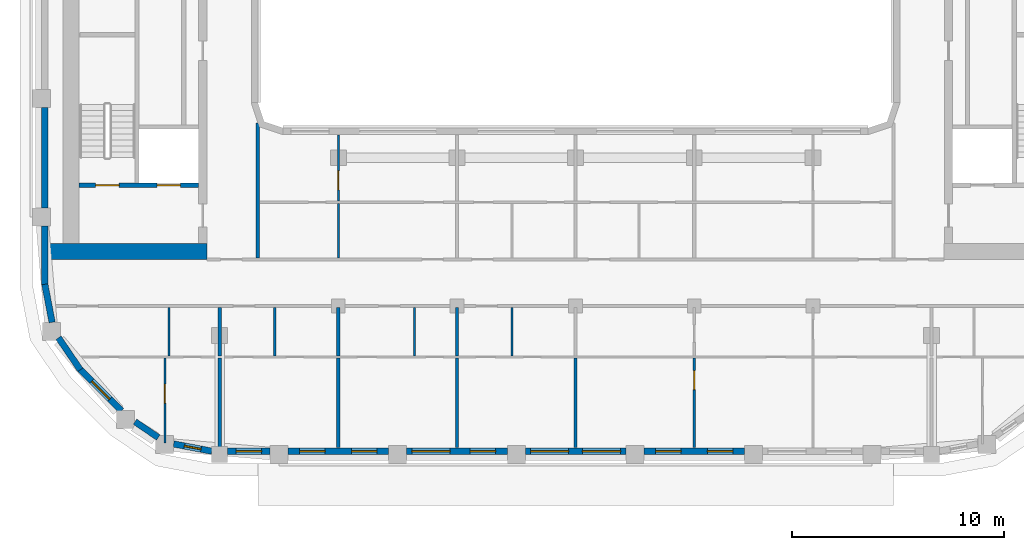
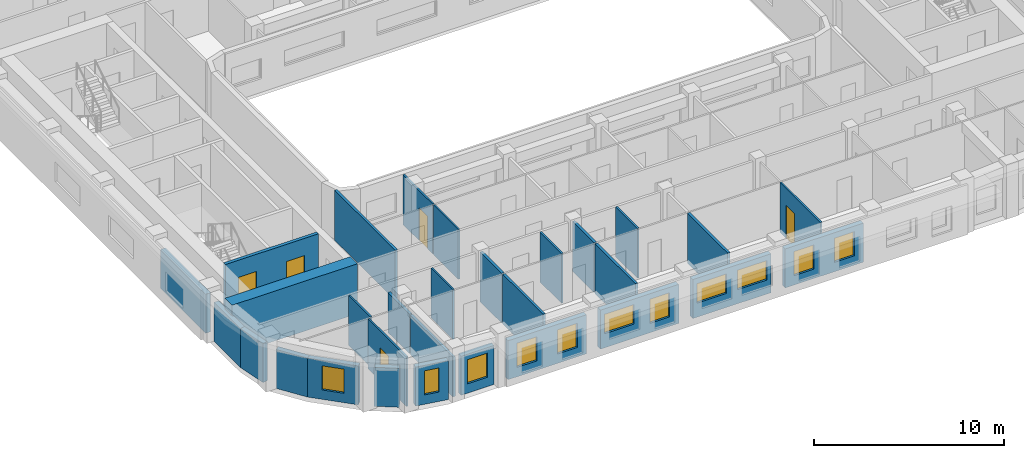
# One storey, part 2 of 21: 30 walls, 11 windows, 5 doors, 16 openings.
"""IFC4 building model written with IfcOpenShell, lengths in metres."""

import ifcopenshell
import ifcopenshell.guid

model = None  # the IFC model being written
_history = None  # IfcOwnerHistory: only IFC2X3 demands one
_inside = {}  # id of a spatial element -> (the spatial element, [elements in it])
_under = {}  # id of a project, library or spatial element -> (it, [spatial elements below it])
_declared = {}  # id of a project -> (the project, [libraries it declares])
_typed = {}  # id of a type object -> (the type object, [elements of that type])
_made_of = {}  # id of a material, layer set ... -> (it, [elements and type objects made of it])


def new_model(schema):
    """Start an empty IFC model of exactly this schema.

    Asked for "IFC4X3", IfcOpenShell would pick the latest addendum, in which some entities
    have other attributes; the version numbers below select the first issue.
    IFC2X3 requires an IfcOwnerHistory on every rooted entity: one is made here for all.
    """
    global model, _history
    if schema == "IFC4X3":
        model = ifcopenshell.file(schema_version=(4, 3, 0, 0))
    else:
        model = ifcopenshell.file(schema=schema)
    _inside.clear()
    _under.clear()
    _declared.clear()
    _typed.clear()
    _made_of.clear()
    _history = None
    if model.schema == "IFC2X3":
        org = make("IfcOrganization", Name="unknown")
        user = make(
            "IfcPersonAndOrganization",
            ThePerson=make("IfcPerson", FamilyName="unknown"),
            TheOrganization=org,
        )
        app = make(
            "IfcApplication",
            ApplicationDeveloper=org,
            Version="unknown",
            ApplicationFullName="unknown",
            ApplicationIdentifier="unknown",
        )
        _history = make(
            "IfcOwnerHistory",
            OwningUser=user,
            OwningApplication=app,
            ChangeAction="ADDED",
            CreationDate=0,
        )
    return model


def make(cls, **values):
    """One entity of the class cls with the attributes given. An attribute that is None is left unset."""
    return model.create_entity(
        cls, **{name: value for name, value in values.items() if value is not None}
    )


def rooted(cls, **values):
    """An entity with a GlobalId (a new one), such as an element, a storey or a relation."""
    return make(cls, GlobalId=ifcopenshell.guid.new(), OwnerHistory=_history, **values)


def si_unit(unit_type, name, prefix=None):
    """IfcSIUnit, for example si_unit("LENGTHUNIT", "METRE", prefix="MILLI")."""
    return make("IfcSIUnit", UnitType=unit_type, Prefix=prefix, Name=name)


def assignment(units):
    """IfcUnitAssignment: the units of a project."""
    return None if units is None else make("IfcUnitAssignment", Units=units)


def point(xyz):
    """IfcCartesianPoint."""
    return None if xyz is None else make("IfcCartesianPoint", Coordinates=xyz)


def direction(xyz):
    """IfcDirection."""
    return None if xyz is None else make("IfcDirection", DirectionRatios=xyz)


def frame(location, z_axis=None, x_axis=None):
    """IfcAxis2Placement3D, a coordinate frame: its origin and axes. An axis left out is left unset."""
    return make(
        "IfcAxis2Placement3D",
        Location=point(location),
        Axis=direction(z_axis),
        RefDirection=direction(x_axis),
    )


def frame_2d(location, x_axis=None):
    """IfcAxis2Placement2D, a coordinate frame in the plane: its origin and x axis."""
    return make(
        "IfcAxis2Placement2D", Location=point(location), RefDirection=direction(x_axis)
    )


def origin():
    """The frame at (0, 0, 0) with its axes left unset."""
    return frame((0.0, 0.0, 0.0))


def place(relative_to, where):
    """IfcLocalPlacement: puts the frame where relative to a parent placement (None: the world)."""
    return make(
        "IfcLocalPlacement", PlacementRelTo=relative_to, RelativePlacement=where
    )


def context(
    kind, dimensions, precision=None, world=None, true_north=None, identifier=None
):
    """IfcGeometricRepresentationContext, for example the 3D "Model" context."""
    return make(
        "IfcGeometricRepresentationContext",
        ContextIdentifier=identifier,
        ContextType=kind,
        CoordinateSpaceDimension=dimensions,
        Precision=precision,
        WorldCoordinateSystem=world,
        TrueNorth=true_north,
    )


def subcontext(parent, identifier, kind, view, scale=None):
    """IfcGeometricRepresentationSubContext, for example "Body" below "Model"."""
    return make(
        "IfcGeometricRepresentationSubContext",
        ContextIdentifier=identifier,
        ContextType=kind,
        ParentContext=parent,
        TargetScale=scale,
        TargetView=view,
    )


def project(units=None, contexts=None):
    """IfcProject with its units and contexts."""
    return rooted(
        "IfcProject",
        Name="project",
        RepresentationContexts=contexts,
        UnitsInContext=assignment(units),
    )


def spatial(cls, under=None, at=None, **own):
    """A site, building, storey or space (cls), placed at a placement, below another one or the project."""
    s = rooted(cls, ObjectPlacement=at, **own)
    if under is not None:
        _under.setdefault(under.id(), (under, []))[1].append(s)
    return s


def profile(cls, at=None, kind="AREA", **sizes):
    """A parametric profile (cls). Its sizes go by their IFC names, for example OverallWidth=200.0."""
    return make(cls, ProfileType=kind, Position=at, **sizes)


def rectangle(**sizes):
    """IfcRectangleProfileDef."""
    return profile("IfcRectangleProfileDef", **sizes)


def extrude(swept, where, along, depth):
    """IfcExtrudedAreaSolid: the profile swept, set in the frame where, extruded along a direction by depth."""
    return make(
        "IfcExtrudedAreaSolid",
        SweptArea=swept,
        Position=where,
        ExtrudedDirection=direction(along),
        Depth=depth,
    )


def shape(context_of_items, identifier, shape_type, items):
    """IfcShapeRepresentation: the items that make up one representation, for example the "Body"."""
    return make(
        "IfcShapeRepresentation",
        ContextOfItems=context_of_items,
        RepresentationIdentifier=identifier,
        RepresentationType=shape_type,
        Items=items,
    )


def material(Name=None, Category=None):
    """IfcMaterial."""
    return make("IfcMaterial", Name=Name, Category=Category)


def layer(
    of_material, thickness, ventilated=None, Name=None, Category=None, Priority=None
):
    """IfcMaterialLayer: one layer of a wall or slab, of a material (None: an air gap)."""
    return make(
        "IfcMaterialLayer",
        Material=of_material,
        LayerThickness=thickness,
        IsVentilated=ventilated,
        Name=Name,
        Category=Category,
        Priority=Priority,
    )


def layer_set(layers, Name=None):
    """IfcMaterialLayerSet."""
    return make("IfcMaterialLayerSet", MaterialLayers=layers, LayerSetName=Name)


def made_of(thing, what):
    """Note that an element or type object is made of a material, layer set ...; save() writes the relation."""
    if what is not None:
        _made_of.setdefault(what.id(), (what, []))[1].append(thing)
    return thing


def type_object(cls, material=None, **own):
    """A type object (cls), such as IfcWallType, which elements share."""
    return made_of(rooted(cls, **own), material)


def element(
    cls,
    number,
    at=None,
    inside=None,
    cuts=None,
    type_object=None,
    material=None,
    context=None,
    identifier="Body",
    shape_type=None,
    held_by="IfcProductDefinitionShape",
    body=None,
    shapes=None,
    **own,
):
    """One element of the class cls, such as IfcWall. Its Tag is "e" and its number.

    at: its placement. inside: the storey or other place that contains it. cuts: it is an
    opening in that element (IfcRelVoidsElement). A single representation is given by context,
    identifier, shape_type and body (its items); several are given by shapes. held_by: the class
    of the entity that holds the representations. save() writes the other relations.
    """
    e = rooted(cls, Tag="e%d" % number, ObjectPlacement=at, **own)
    if body is not None:
        shapes = [shape(context, identifier, shape_type, body)]
    if shapes is not None:
        e.Representation = make(held_by, Representations=shapes)
    if inside is not None:
        _inside.setdefault(inside.id(), (inside, []))[1].append(e)
    if cuts is not None:
        rooted(
            "IfcRelVoidsElement", RelatingBuildingElement=cuts, RelatedOpeningElement=e
        )
    if type_object is not None:
        _typed.setdefault(type_object.id(), (type_object, []))[1].append(e)
    return made_of(e, material)


def fill(opening, filler):
    """IfcRelFillsElement: the door or window that sits in an opening."""
    return rooted(
        "IfcRelFillsElement",
        RelatingOpeningElement=opening,
        RelatedBuildingElement=filler,
    )


def aggregate(whole, parts):
    """IfcRelAggregates: a whole, such as a stair, and the parts it consists of."""
    return rooted("IfcRelAggregates", RelatingObject=whole, RelatedObjects=parts)


def save(model, path):
    """Write the relations noted so far, then the file.

    IfcRelAggregates (storeys below a building ...), IfcRelContainedInSpatialStructure (elements
    in a storey), IfcRelDefinesByType, IfcRelAssociatesMaterial and IfcRelDeclares: one each for
    every whole, place, type object, material and project.
    """
    for whole, parts in _under.values():
        aggregate(whole, parts)
    for where, things in _inside.values():
        rooted(
            "IfcRelContainedInSpatialStructure",
            RelatedElements=things,
            RelatingStructure=where,
        )
    for kind, things in _typed.values():
        rooted("IfcRelDefinesByType", RelatedObjects=things, RelatingType=kind)
    for what, things in _made_of.values():
        rooted("IfcRelAssociatesMaterial", RelatedObjects=things, RelatingMaterial=what)
    for by, libraries in _declared.values():
        rooted("IfcRelDeclares", RelatingContext=by, RelatedDefinitions=libraries)
    model.write(path)


model = new_model("IFC4")

# Units and contexts
model_context = context("Model", 3, precision=1e-05, world=origin(), true_north=direction((0.0, 1.0)))
body_context = subcontext(model_context, "Body", "Model", "MODEL_VIEW")
ifc_project = project(units=[si_unit("LENGTHUNIT", "METRE"), si_unit("AREAUNIT", "SQUARE_METRE"), si_unit("VOLUMEUNIT", "CUBIC_METRE"), si_unit("PLANEANGLEUNIT", "RADIAN"), si_unit("MASSUNIT", "GRAM", prefix="KILO")], contexts=[model_context])

# Site, building, storey
site_placement = place(None, origin())
site = spatial("IfcSite", under=ifc_project, at=site_placement, CompositionType="ELEMENT")
building_placement = place(site_placement, origin())
building = spatial("IfcBuilding", under=site, at=building_placement, Name="Kiln Ring Residences", CompositionType="ELEMENT")
storey_placement = place(building_placement, frame((0.0, 0.0, 223.89990234375)))
storey = spatial("IfcBuildingStorey", under=building, at=storey_placement, Name="L58", CompositionType="ELEMENT", Elevation=223.89990234375)

# Wall, openings, doors
ifc_material_1 = material(Name="Concrete C40/50", Category="concrete")
ifc_layer_1 = layer(ifc_material_1, 0.199951171875)
ifc_layer_set_1 = layer_set([ifc_layer_1], Name="CORE-WALL-RC200")
wall_type_1 = type_object("IfcWallType", Name="CORE-WALL-RC200", PredefinedType="SHEAR", material=ifc_layer_set_1)
wall_1_placement = place(storey_placement, frame((-17.800048828125, -9.699951171875, 0.0), z_axis=(0.0, 0.0, 1.0), x_axis=(-1.0, 0.0, 0.0)))
wall_1 = element("IfcWall", 1, at=wall_1_placement, inside=storey, type_object=wall_type_1, Name="Core wall west L58 8", PredefinedType="SHEAR", context=body_context, shape_type="SweptSolid", body=[
    extrude(rectangle(XDim=5.64990234375, YDim=0.199951171875, at=frame_2d((2.824951171875, 0.0))), origin(), (0.0, 0.0, 1.0), 3.2001953125),
])
opening_1_placement = place(wall_1_placement, frame((0.85009765625, 0.0, 0.0)))
opening_1 = element("IfcOpeningElement", 2, at=opening_1_placement, cuts=wall_1, Name="Opening L58-CW01", PredefinedType="OPENING", context=body_context, shape_type="SweptSolid", body=[
    extrude(rectangle(XDim=1.10009765625, YDim=2.10009765625, at=frame_2d((0.550048828125, 1.050048828125))), frame((0.0, 0.10986328125, 0.0), z_axis=(0.0, -1.0, 0.0), x_axis=(1.0, 0.0, 0.0)), (0.0, 0.0, 1.0), 0.219970703125),
])
opening_2_placement = place(wall_1_placement, frame((3.75, 0.0, 0.0)))
opening_2 = element("IfcOpeningElement", 3, at=opening_2_placement, cuts=wall_1, Name="Opening L58-CW10", PredefinedType="OPENING", context=body_context, shape_type="SweptSolid", body=[
    extrude(rectangle(XDim=1.10009765625, YDim=2.10009765625, at=frame_2d((0.550048828125, 1.050048828125))), frame((0.0, 0.10986328125, 0.0), z_axis=(0.0, -1.0, 0.0), x_axis=(1.0, 0.0, 0.0)), (0.0, 0.0, 1.0), 0.219970703125),
])
ifc_material_2 = material(Name="Steel door leaf", Category="steel")
door_type_1 = type_object("IfcDoorType", Name="CORE-DOOR-LD", OperationType="DOUBLE_DOOR_SLIDING", PredefinedType="DOOR", material=ifc_material_2)
door_1_placement = place(opening_1_placement, origin())
door_1 = element("IfcDoor", 4, at=door_1_placement, inside=storey, type_object=door_type_1, Name="LD W-SV L58-CW01", OperationType="DOUBLE_DOOR_SLIDING", OverallHeight=2.10009765625, OverallWidth=1.10009765625, PredefinedType="DOOR", context=body_context, shape_type="SweptSolid", body=[
    extrude(rectangle(XDim=1.10009765625, YDim=2.10009765625, at=frame_2d((0.550048828125, 1.050048828125))), frame((0.0, 0.02490234375, 0.0), z_axis=(0.0, -1.0, 0.0), x_axis=(1.0, 0.0, 0.0)), (0.0, 0.0, 1.0), 0.050048828125),
])
fill(opening_1, door_1)
ifc_material_3 = material(Name="Steel door leaf", Category="steel")
door_type_2 = type_object("IfcDoorType", Name="CORE-DOOR-STAIR", OperationType="SINGLE_SWING_LEFT", PredefinedType="DOOR", material=ifc_material_3)
door_2_placement = place(opening_2_placement, origin())
door_2 = element("IfcDoor", 5, at=door_2_placement, inside=storey, type_object=door_type_2, Name="Stair W-STS L58-CW10", OperationType="SINGLE_SWING_LEFT", OverallHeight=2.10009765625, OverallWidth=1.10009765625, PredefinedType="DOOR", context=body_context, shape_type="SweptSolid", body=[
    extrude(rectangle(XDim=1.10009765625, YDim=2.10009765625, at=frame_2d((0.550048828125, 1.050048828125))), frame((0.0, 0.02490234375, 0.0), z_axis=(0.0, -1.0, 0.0), x_axis=(1.0, 0.0, 0.0)), (0.0, 0.0, 1.0), 0.050048828125),
])
fill(opening_2, door_2)

# Wall
ifc_material_4 = material(Name="Concrete C60/75", Category="concrete")
ifc_layer_2 = layer(ifc_material_4, 0.75)
ifc_layer_set_2 = layer_set([ifc_layer_2], Name="CORE-WALL-RC750")
wall_type_2 = type_object("IfcWallType", Name="CORE-WALL-RC750", PredefinedType="SHEAR", material=ifc_layer_set_2)
wall_2_placement = place(storey_placement, frame((-17.39990234375, -12.824951171875, 0.0), z_axis=(0.0, 0.0, 1.0), x_axis=(-1.0, 0.0, 0.0)))
element("IfcWall", 6, at=wall_2_placement, inside=storey, type_object=wall_type_2, Name="Core wall west L58 5", PredefinedType="SHEAR", context=body_context, shape_type="SweptSolid", body=[
    extrude(rectangle(XDim=7.60009765625, YDim=0.75, at=frame_2d((3.800048828125, 0.0))), origin(), (0.0, 0.0, 1.0), 3.2001953125),
])

# Wall, opening, window
ifc_material_5 = material(Name="Brick masonry, dark clay brick", Category="masonry")
ifc_layer_3 = layer(ifc_material_5, 0.300048828125)
ifc_layer_set_3 = layer_set([ifc_layer_3], Name="EW-300 BRICK WALL")
wall_type_3 = type_object("IfcWallType", Name="EW-300 BRICK WALL", PredefinedType="SOLIDWALL", material=ifc_layer_set_3)
wall_3_placement = place(storey_placement, frame((-23.39697265625, -18.390869140625, 0.0), z_axis=(0.0, 0.0, 1.0), x_axis=(0.707106781187, -0.707106781187, 0.0)))
wall_3 = element("IfcWall", 7, at=wall_3_placement, inside=storey, type_object=wall_type_3, Name="Facade wall L58 1", PredefinedType="SOLIDWALL", context=body_context, shape_type="SweptSolid", body=[
    extrude(rectangle(XDim=2.775146484375, YDim=0.300048828125, at=frame_2d((1.3876953125, 0.0))), origin(), (0.0, 0.0, 1.0), 2.5),
])
opening_3_placement = place(wall_3_placement, frame((0.78759765625, 0.0, 0.60009765625)))
opening_3 = element("IfcOpeningElement", 8, at=opening_3_placement, cuts=wall_3, Name="Opening W1", PredefinedType="OPENING", context=body_context, shape_type="SweptSolid", body=[
    extrude(rectangle(XDim=1.199951171875, YDim=1.550048828125, at=frame_2d((0.60009765625, 0.77490234375))), frame((0.0, 0.159912109375, 0.0), z_axis=(0.0, -1.0, 0.0), x_axis=(1.0, 0.0, 0.0)), (0.0, 0.0, 1.0), 0.320068359375),
])
ifc_material_6 = material(Name="Aluminium frame with double glazing", Category="aluminium")
window_type_1 = type_object("IfcWindowType", Name="WINDOW 1200 x 1550", PartitioningType="SINGLE_PANEL", PredefinedType="WINDOW", material=ifc_material_6)
window_1_placement = place(opening_3_placement, origin())
window_1 = element("IfcWindow", 9, at=window_1_placement, inside=storey, type_object=window_type_1, Name="Window L58 1", OverallHeight=1.550048828125, OverallWidth=1.199951171875, PartitioningType="SINGLE_PANEL", PredefinedType="WINDOW", context=body_context, shape_type="SweptSolid", body=[
    extrude(rectangle(XDim=1.199951171875, YDim=1.550048828125, at=frame_2d((0.60009765625, 0.77490234375))), frame((0.0, 0.030029296875, 0.0), z_axis=(0.0, -1.0, 0.0), x_axis=(1.0, 0.0, 0.0)), (0.0, 0.0, 1.0), 0.06005859375),
])
fill(opening_3, window_1)

# Wall
wall_4_placement = place(storey_placement, frame((-20.7958984375, -20.862060546875, 0.0), z_axis=(0.0, 0.0, 1.0), x_axis=(0.827035970432, -0.562149004813, 0.0)))
element("IfcWall", 10, at=wall_4_placement, inside=storey, type_object=wall_type_3, Name="Facade wall L58 2", PredefinedType="SOLIDWALL", context=body_context, shape_type="SweptSolid", body=[
    extrude(rectangle(XDim=1.3271484375, YDim=0.300048828125, at=frame_2d((0.66357421875, 0.0))), origin(), (0.0, 0.0, 1.0), 2.5),
])

# Wall, opening, window
wall_5_placement = place(storey_placement, frame((-18.970703125, -21.90966796875, 0.0), z_axis=(0.0, 0.0, 1.0), x_axis=(0.982300037503, -0.187314271538, 0.0)))
wall_5 = element("IfcWall", 11, at=wall_5_placement, inside=storey, type_object=wall_type_3, Name="Facade wall L58 3", PredefinedType="SOLIDWALL", context=body_context, shape_type="SweptSolid", body=[
    extrude(rectangle(XDim=1.831298828125, YDim=0.300048828125, at=frame_2d((0.91552734375, 0.0))), origin(), (0.0, 0.0, 1.0), 2.5),
])
opening_4_placement = place(wall_5_placement, frame((0.515625, 0.0, 0.60009765625)))
opening_4 = element("IfcOpeningElement", 12, at=opening_4_placement, cuts=wall_5, Name="Opening W5", PredefinedType="OPENING", context=body_context, shape_type="SweptSolid", body=[
    extrude(rectangle(XDim=0.800048828125, YDim=1.550048828125, at=frame_2d((0.39990234375, 0.77490234375))), frame((0.0, 0.159912109375, 0.0), z_axis=(0.0, -1.0, 0.0), x_axis=(1.0, 0.0, 0.0)), (0.0, 0.0, 1.0), 0.320068359375),
])
ifc_material_7 = material(Name="Aluminium frame with double glazing", Category="aluminium")
window_type_2 = type_object("IfcWindowType", Name="WINDOW 800 x 1550", PartitioningType="SINGLE_PANEL", PredefinedType="WINDOW", material=ifc_material_7)
window_2_placement = place(opening_4_placement, origin())
window_2 = element("IfcWindow", 13, at=window_2_placement, inside=storey, type_object=window_type_2, Name="Window L58 2", OverallHeight=1.550048828125, OverallWidth=0.800048828125, PartitioningType="SINGLE_PANEL", PredefinedType="WINDOW", context=body_context, shape_type="SweptSolid", body=[
    extrude(rectangle(XDim=0.800048828125, YDim=1.550048828125, at=frame_2d((0.39990234375, 0.77490234375))), frame((0.0, 0.030029296875, 0.0), z_axis=(0.0, -1.0, 0.0), x_axis=(1.0, 0.0, 0.0)), (0.0, 0.0, 1.0), 0.06005859375),
])
fill(opening_4, window_2)

wall_6_placement = place(storey_placement, frame((-16.425048828125, -22.25, 0.0), z_axis=(0.0, 0.0, 1.0), x_axis=(1.0, 0.0, 0.0)))
wall_6 = element("IfcWall", 14, at=wall_6_placement, inside=storey, type_object=wall_type_3, Name="Facade wall L58 4", PredefinedType="SOLIDWALL", context=body_context, shape_type="SweptSolid", body=[
    extrude(rectangle(XDim=2.0, YDim=0.300048828125, at=frame_2d((1.0, 0.0))), origin(), (0.0, 0.0, 1.0), 2.5),
])
opening_5_placement = place(wall_6_placement, frame((0.39990234375, 0.0, 0.60009765625)))
opening_5 = element("IfcOpeningElement", 15, at=opening_5_placement, cuts=wall_6, Name="Opening W1", PredefinedType="OPENING", context=body_context, shape_type="SweptSolid", body=[
    extrude(rectangle(XDim=1.199951171875, YDim=1.550048828125, at=frame_2d((0.60009765625, 0.77490234375))), frame((0.0, 0.159912109375, 0.0), z_axis=(0.0, -1.0, 0.0), x_axis=(1.0, 0.0, 0.0)), (0.0, 0.0, 1.0), 0.320068359375),
])
window_3_placement = place(opening_5_placement, origin())
window_3 = element("IfcWindow", 16, at=window_3_placement, inside=storey, type_object=window_type_1, Name="Window L58 3", OverallHeight=1.550048828125, OverallWidth=1.199951171875, PartitioningType="SINGLE_PANEL", PredefinedType="WINDOW", context=body_context, shape_type="SweptSolid", body=[
    extrude(rectangle(XDim=1.199951171875, YDim=1.550048828125, at=frame_2d((0.60009765625, 0.77490234375))), frame((0.0, 0.030029296875, 0.0), z_axis=(0.0, -1.0, 0.0), x_axis=(1.0, 0.0, 0.0)), (0.0, 0.0, 1.0), 0.06005859375),
])
fill(opening_5, window_3)

# Wall, openings, windows
wall_7_placement = place(storey_placement, frame((-13.574951171875, -22.25, 0.0), z_axis=(0.0, 0.0, 1.0), x_axis=(1.0, 0.0, 0.0)))
wall_7 = element("IfcWall", 17, at=wall_7_placement, inside=storey, type_object=wall_type_3, Name="Facade wall L58 5", PredefinedType="SOLIDWALL", context=body_context, shape_type="SweptSolid", body=[
    extrude(rectangle(XDim=4.75, YDim=0.300048828125, at=frame_2d((2.375, 0.0))), origin(), (0.0, 0.0, 1.0), 2.5),
])
opening_6_placement = place(wall_7_placement, frame((0.550048828125, 0.0, 0.60009765625)))
opening_6 = element("IfcOpeningElement", 18, at=opening_6_placement, cuts=wall_7, Name="Opening W1", PredefinedType="OPENING", context=body_context, shape_type="SweptSolid", body=[
    extrude(rectangle(XDim=1.199951171875, YDim=1.550048828125, at=frame_2d((0.60009765625, 0.77490234375))), frame((0.0, 0.159912109375, 0.0), z_axis=(0.0, -1.0, 0.0), x_axis=(1.0, 0.0, 0.0)), (0.0, 0.0, 1.0), 0.320068359375),
])
opening_7_placement = place(wall_7_placement, frame((3.0, 0.0, 0.60009765625)))
opening_7 = element("IfcOpeningElement", 19, at=opening_7_placement, cuts=wall_7, Name="Opening W1", PredefinedType="OPENING", context=body_context, shape_type="SweptSolid", body=[
    extrude(rectangle(XDim=1.199951171875, YDim=1.550048828125, at=frame_2d((0.60009765625, 0.77490234375))), frame((0.0, 0.159912109375, 0.0), z_axis=(0.0, -1.0, 0.0), x_axis=(1.0, 0.0, 0.0)), (0.0, 0.0, 1.0), 0.320068359375),
])
window_4_placement = place(opening_6_placement, origin())
window_4 = element("IfcWindow", 20, at=window_4_placement, inside=storey, type_object=window_type_1, Name="Window L58 4", OverallHeight=1.550048828125, OverallWidth=1.199951171875, PartitioningType="SINGLE_PANEL", PredefinedType="WINDOW", context=body_context, shape_type="SweptSolid", body=[
    extrude(rectangle(XDim=1.199951171875, YDim=1.550048828125, at=frame_2d((0.60009765625, 0.77490234375))), frame((0.0, 0.030029296875, 0.0), z_axis=(0.0, -1.0, 0.0), x_axis=(1.0, 0.0, 0.0)), (0.0, 0.0, 1.0), 0.06005859375),
])
fill(opening_6, window_4)
window_5_placement = place(opening_7_placement, origin())
window_5 = element("IfcWindow", 21, at=window_5_placement, inside=storey, type_object=window_type_1, Name="Window L58 5", OverallHeight=1.550048828125, OverallWidth=1.199951171875, PartitioningType="SINGLE_PANEL", PredefinedType="WINDOW", context=body_context, shape_type="SweptSolid", body=[
    extrude(rectangle(XDim=1.199951171875, YDim=1.550048828125, at=frame_2d((0.60009765625, 0.77490234375))), frame((0.0, 0.030029296875, 0.0), z_axis=(0.0, -1.0, 0.0), x_axis=(1.0, 0.0, 0.0)), (0.0, 0.0, 1.0), 0.06005859375),
])
fill(opening_7, window_5)

wall_8_placement = place(storey_placement, frame((-7.97509765625, -22.25, 0.0), z_axis=(0.0, 0.0, 1.0), x_axis=(1.0, 0.0, 0.0)))
wall_8 = element("IfcWall", 22, at=wall_8_placement, inside=storey, type_object=wall_type_3, Name="Facade wall L58 6", PredefinedType="SOLIDWALL", context=body_context, shape_type="SweptSolid", body=[
    extrude(rectangle(XDim=4.75, YDim=0.300048828125, at=frame_2d((2.375, 0.0))), origin(), (0.0, 0.0, 1.0), 2.5),
])
opening_8_placement = place(wall_8_placement, frame((0.25, 0.0, 0.89990234375)))
opening_8 = element("IfcOpeningElement", 23, at=opening_8_placement, cuts=wall_8, Name="Opening W2", PredefinedType="OPENING", context=body_context, shape_type="SweptSolid", body=[
    extrude(rectangle(XDim=1.800048828125, YDim=1.25, at=frame_2d((0.89990234375, 0.625))), frame((0.0, 0.159912109375, 0.0), z_axis=(0.0, -1.0, 0.0), x_axis=(1.0, 0.0, 0.0)), (0.0, 0.0, 1.0), 0.320068359375),
])
opening_9_placement = place(wall_8_placement, frame((3.0, 0.0, 0.60009765625)))
opening_9 = element("IfcOpeningElement", 24, at=opening_9_placement, cuts=wall_8, Name="Opening W1", PredefinedType="OPENING", context=body_context, shape_type="SweptSolid", body=[
    extrude(rectangle(XDim=1.199951171875, YDim=1.550048828125, at=frame_2d((0.60009765625, 0.77490234375))), frame((0.0, 0.159912109375, 0.0), z_axis=(0.0, -1.0, 0.0), x_axis=(1.0, 0.0, 0.0)), (0.0, 0.0, 1.0), 0.320068359375),
])
window_6_placement = place(opening_9_placement, origin())
window_6 = element("IfcWindow", 25, at=window_6_placement, inside=storey, type_object=window_type_1, Name="Window L58 7", OverallHeight=1.550048828125, OverallWidth=1.199951171875, PartitioningType="SINGLE_PANEL", PredefinedType="WINDOW", context=body_context, shape_type="SweptSolid", body=[
    extrude(rectangle(XDim=1.199951171875, YDim=1.550048828125, at=frame_2d((0.60009765625, 0.77490234375))), frame((0.0, 0.030029296875, 0.0), z_axis=(0.0, -1.0, 0.0), x_axis=(1.0, 0.0, 0.0)), (0.0, 0.0, 1.0), 0.06005859375),
])
fill(opening_9, window_6)
ifc_material_8 = material(Name="Aluminium frame with double glazing", Category="aluminium")
window_type_3 = type_object("IfcWindowType", Name="WINDOW 1800 x 1250", PartitioningType="SINGLE_PANEL", PredefinedType="WINDOW", material=ifc_material_8)
window_7_placement = place(opening_8_placement, origin())
window_7 = element("IfcWindow", 26, at=window_7_placement, inside=storey, type_object=window_type_3, Name="Window L58 6", OverallHeight=1.25, OverallWidth=1.800048828125, PartitioningType="SINGLE_PANEL", PredefinedType="WINDOW", context=body_context, shape_type="SweptSolid", body=[
    extrude(rectangle(XDim=1.800048828125, YDim=1.25, at=frame_2d((0.89990234375, 0.625))), frame((0.0, 0.030029296875, 0.0), z_axis=(0.0, -1.0, 0.0), x_axis=(1.0, 0.0, 0.0)), (0.0, 0.0, 1.0), 0.06005859375),
])
fill(opening_8, window_7)

wall_9_placement = place(storey_placement, frame((-2.375, -22.25, 0.0), z_axis=(0.0, 0.0, 1.0), x_axis=(1.0, 0.0, 0.0)))
wall_9 = element("IfcWall", 27, at=wall_9_placement, inside=storey, type_object=wall_type_3, Name="Facade wall L58 7", PredefinedType="SOLIDWALL", context=body_context, shape_type="SweptSolid", body=[
    extrude(rectangle(XDim=4.75, YDim=0.300048828125, at=frame_2d((2.375, 0.0))), origin(), (0.0, 0.0, 1.0), 2.5),
])
opening_10_placement = place(wall_9_placement, frame((0.25, 0.0, 0.89990234375)))
opening_10 = element("IfcOpeningElement", 28, at=opening_10_placement, cuts=wall_9, Name="Opening W2", PredefinedType="OPENING", context=body_context, shape_type="SweptSolid", body=[
    extrude(rectangle(XDim=1.800048828125, YDim=1.25, at=frame_2d((0.89990234375, 0.625))), frame((0.0, 0.159912109375, 0.0), z_axis=(0.0, -1.0, 0.0), x_axis=(1.0, 0.0, 0.0)), (0.0, 0.0, 1.0), 0.320068359375),
])
opening_11_placement = place(wall_9_placement, frame((2.699951171875, 0.0, 0.89990234375)))
opening_11 = element("IfcOpeningElement", 29, at=opening_11_placement, cuts=wall_9, Name="Opening W2", PredefinedType="OPENING", context=body_context, shape_type="SweptSolid", body=[
    extrude(rectangle(XDim=1.800048828125, YDim=1.25, at=frame_2d((0.89990234375, 0.625))), frame((0.0, 0.159912109375, 0.0), z_axis=(0.0, -1.0, 0.0), x_axis=(1.0, 0.0, 0.0)), (0.0, 0.0, 1.0), 0.320068359375),
])
window_8_placement = place(opening_10_placement, origin())
window_8 = element("IfcWindow", 30, at=window_8_placement, inside=storey, type_object=window_type_3, Name="Window L58 8", OverallHeight=1.25, OverallWidth=1.800048828125, PartitioningType="SINGLE_PANEL", PredefinedType="WINDOW", context=body_context, shape_type="SweptSolid", body=[
    extrude(rectangle(XDim=1.800048828125, YDim=1.25, at=frame_2d((0.89990234375, 0.625))), frame((0.0, 0.030029296875, 0.0), z_axis=(0.0, -1.0, 0.0), x_axis=(1.0, 0.0, 0.0)), (0.0, 0.0, 1.0), 0.06005859375),
])
fill(opening_10, window_8)
window_9_placement = place(opening_11_placement, origin())
window_9 = element("IfcWindow", 31, at=window_9_placement, inside=storey, type_object=window_type_3, Name="Window L58 9", OverallHeight=1.25, OverallWidth=1.800048828125, PartitioningType="SINGLE_PANEL", PredefinedType="WINDOW", context=body_context, shape_type="SweptSolid", body=[
    extrude(rectangle(XDim=1.800048828125, YDim=1.25, at=frame_2d((0.89990234375, 0.625))), frame((0.0, 0.030029296875, 0.0), z_axis=(0.0, -1.0, 0.0), x_axis=(1.0, 0.0, 0.0)), (0.0, 0.0, 1.0), 0.06005859375),
])
fill(opening_11, window_9)

wall_10_placement = place(storey_placement, frame((3.22509765625, -22.25, 0.0), z_axis=(0.0, 0.0, 1.0), x_axis=(1.0, 0.0, 0.0)))
wall_10 = element("IfcWall", 32, at=wall_10_placement, inside=storey, type_object=wall_type_3, Name="Facade wall L58 8", PredefinedType="SOLIDWALL", context=body_context, shape_type="SweptSolid", body=[
    extrude(rectangle(XDim=4.75, YDim=0.300048828125, at=frame_2d((2.375, 0.0))), origin(), (0.0, 0.0, 1.0), 2.5),
])
opening_12_placement = place(wall_10_placement, frame((0.550048828125, 0.0, 0.60009765625)))
opening_12 = element("IfcOpeningElement", 33, at=opening_12_placement, cuts=wall_10, Name="Opening W1", PredefinedType="OPENING", context=body_context, shape_type="SweptSolid", body=[
    extrude(rectangle(XDim=1.199951171875, YDim=1.550048828125, at=frame_2d((0.60009765625, 0.77490234375))), frame((0.0, 0.159912109375, 0.0), z_axis=(0.0, -1.0, 0.0), x_axis=(1.0, 0.0, 0.0)), (0.0, 0.0, 1.0), 0.320068359375),
])
opening_13_placement = place(wall_10_placement, frame((3.0, 0.0, 0.60009765625)))
opening_13 = element("IfcOpeningElement", 34, at=opening_13_placement, cuts=wall_10, Name="Opening W1", PredefinedType="OPENING", context=body_context, shape_type="SweptSolid", body=[
    extrude(rectangle(XDim=1.199951171875, YDim=1.550048828125, at=frame_2d((0.60009765625, 0.77490234375))), frame((0.0, 0.159912109375, 0.0), z_axis=(0.0, -1.0, 0.0), x_axis=(1.0, 0.0, 0.0)), (0.0, 0.0, 1.0), 0.320068359375),
])
window_10_placement = place(opening_12_placement, origin())
window_10 = element("IfcWindow", 35, at=window_10_placement, inside=storey, type_object=window_type_1, Name="Window L58 10", OverallHeight=1.550048828125, OverallWidth=1.199951171875, PartitioningType="SINGLE_PANEL", PredefinedType="WINDOW", context=body_context, shape_type="SweptSolid", body=[
    extrude(rectangle(XDim=1.199951171875, YDim=1.550048828125, at=frame_2d((0.60009765625, 0.77490234375))), frame((0.0, 0.030029296875, 0.0), z_axis=(0.0, -1.0, 0.0), x_axis=(1.0, 0.0, 0.0)), (0.0, 0.0, 1.0), 0.06005859375),
])
fill(opening_12, window_10)
window_11_placement = place(opening_13_placement, origin())
window_11 = element("IfcWindow", 36, at=window_11_placement, inside=storey, type_object=window_type_1, Name="Window L58 11", OverallHeight=1.550048828125, OverallWidth=1.199951171875, PartitioningType="SINGLE_PANEL", PredefinedType="WINDOW", context=body_context, shape_type="SweptSolid", body=[
    extrude(rectangle(XDim=1.199951171875, YDim=1.550048828125, at=frame_2d((0.60009765625, 0.77490234375))), frame((0.0, 0.030029296875, 0.0), z_axis=(0.0, -1.0, 0.0), x_axis=(1.0, 0.0, 0.0)), (0.0, 0.0, 1.0), 0.06005859375),
])
fill(opening_13, window_11)

# Walls
wall_11_placement = place(storey_placement, frame((-25.050048828125, -6.02490234375, 0.0), z_axis=(0.0, 0.0, 1.0), x_axis=(0.0, -1.0, 0.0)))
element("IfcWall", 37, at=wall_11_placement, inside=storey, type_object=wall_type_3, Name="Facade wall L58 43", PredefinedType="SOLIDWALL", context=body_context, shape_type="SweptSolid", body=[
    extrude(rectangle(XDim=4.75, YDim=0.300048828125, at=frame_2d((2.375, 0.0))), origin(), (0.0, 0.0, 1.0), 2.5),
])
wall_12_placement = place(storey_placement, frame((-25.050048828125, -11.625, 0.0), z_axis=(0.0, 0.0, 1.0), x_axis=(0.0, -1.0, 0.0)))
element("IfcWall", 38, at=wall_12_placement, inside=storey, type_object=wall_type_3, Name="Facade wall L58 44", PredefinedType="SOLIDWALL", context=body_context, shape_type="SweptSolid", body=[
    extrude(rectangle(XDim=2.77490234375, YDim=0.300048828125, at=frame_2d((1.387451171875, 0.0))), origin(), (0.0, 0.0, 1.0), 2.5),
])
for number, where, z_axis, x_axis, name in (
    (39, (-25.052734375, -14.371826171875, 0.0), (0.0, 0.0, 1.0), (0.187442908742, -0.982275499014, 0.0), "Facade wall L58 45"),
    (40, (-24.408203125, -16.898193359375, 0.0), (0.0, 0.0, 1.0), (0.562062033417, -0.827095079535, 0.0), "Facade wall L58 46"),
):
    element("IfcWall", number, at=place(storey_placement, frame(where, z_axis=z_axis, x_axis=x_axis)), inside=storey, type_object=wall_type_3, Name=name, PredefinedType="SOLIDWALL", context=body_context, shape_type="SweptSolid", body=[
        extrude(rectangle(XDim=1.831298828125, YDim=0.300048828125, at=frame_2d((0.91552734375, 0.0))), origin(), (0.0, 0.0, 1.0), 2.5),
    ])

# Wall, opening, door
ifc_material_9 = material(Name="Gypsum board on steel studs", Category="steel")
ifc_layer_4 = layer(ifc_material_9, 0.10009765625)
ifc_layer_set_4 = layer_set([ifc_layer_4], Name="PARTITION-100")
wall_type_4 = type_object("IfcWallType", Name="PARTITION-100", PredefinedType="PARTITIONING", material=ifc_layer_set_4)
wall_13_placement = place(storey_placement, frame((-19.389892578125, -21.860107421875, 0.0), z_axis=(0.0, 0.0, 1.0), x_axis=(0.0, 1.0, 0.0)))
wall_13 = element("IfcWall", 41, at=wall_13_placement, inside=storey, type_object=wall_type_4, Name="Partition 007", PredefinedType="PARTITIONING", context=body_context, shape_type="SweptSolid", body=[
    extrude(rectangle(XDim=4.010009765625, YDim=0.10009765625, at=frame_2d((2.0048828125, 0.0))), origin(), (0.0, 0.0, 1.0), 3.2001953125),
])
opening_14_placement = place(wall_13_placement, frame((1.873046875, 0.0, 0.0)))
opening_14 = element("IfcOpeningElement", 42, at=opening_14_placement, cuts=wall_13, Name="Opening L58-D048", PredefinedType="OPENING", context=body_context, shape_type="SweptSolid", body=[
    extrude(rectangle(XDim=0.89990234375, YDim=2.10009765625, at=frame_2d((0.449951171875, 1.050048828125))), frame((0.0, 0.06005859375, 0.0), z_axis=(0.0, -1.0, 0.0), x_axis=(1.0, 0.0, 0.0)), (0.0, 0.0, 1.0), 0.1201171875),
])
ifc_material_10 = material(Name="Timber door leaf", Category="wood")
door_type_3 = type_object("IfcDoorType", Name="FLAT-DOOR-900-PL", OperationType="SINGLE_SWING_LEFT", PredefinedType="DOOR", material=ifc_material_10)
door_3_placement = place(opening_14_placement, origin())
door_3 = element("IfcDoor", 43, at=door_3_placement, inside=storey, type_object=door_type_3, Name="Door L58-D048", OperationType="SINGLE_SWING_RIGHT", OverallHeight=2.10009765625, OverallWidth=0.89990234375, PredefinedType="DOOR", context=body_context, shape_type="SweptSolid", body=[
    extrude(rectangle(XDim=0.89990234375, YDim=2.10009765625, at=frame_2d((0.449951171875, 1.050048828125))), frame((0.0, 0.02490234375, 0.0), z_axis=(0.0, -1.0, 0.0), x_axis=(1.0, 0.0, 0.0)), (0.0, 0.0, 1.0), 0.050048828125),
])
fill(opening_14, door_3)

# Walls
for number, where, z_axis, x_axis, name in (
    (44, (-19.199951171875, -17.75, 0.0), (0.0, 0.0, 1.0), (0.0, 1.0, 0.0), "Partition 008"),
    (45, (-14.199951171875, -17.75, 0.0), (0.0, 0.0, 1.0), (0.0, 1.0, 0.0), "Partition 015"),
):
    element("IfcWall", number, at=place(storey_placement, frame(where, z_axis=z_axis, x_axis=x_axis)), inside=storey, type_object=wall_type_4, Name=name, PredefinedType="PARTITIONING", context=body_context, shape_type="SweptSolid", body=[
        extrude(rectangle(XDim=2.27490234375, YDim=0.10009765625, at=frame_2d((1.137451171875, 0.0))), origin(), (0.0, 0.0, 1.0), 3.2001953125),
    ])
wall_14_placement = place(storey_placement, frame((-11.199951171875, -13.125, 0.0), z_axis=(0.0, 0.0, 1.0), x_axis=(0.0, 1.0, 0.0)))
element("IfcWall", 46, at=wall_14_placement, inside=storey, type_object=wall_type_4, Name="Partition 016", PredefinedType="PARTITIONING", context=body_context, shape_type="SweptSolid", body=[
    extrude(rectangle(XDim=2.574951171875, YDim=0.10009765625, at=frame_2d((1.28759765625, 0.0))), origin(), (0.0, 0.0, 1.0), 3.2001953125),
])

# Wall, opening, door
wall_15_placement = place(storey_placement, frame((-11.199951171875, -10.449951171875, 0.0), z_axis=(0.0, 0.0, 1.0), x_axis=(0.0, 1.0, 0.0)))
wall_15 = element("IfcWall", 47, at=wall_15_placement, inside=storey, type_object=wall_type_4, Name="Partition 017", PredefinedType="PARTITIONING", context=body_context, shape_type="SweptSolid", body=[
    extrude(rectangle(XDim=3.1298828125, YDim=0.10009765625, at=frame_2d((1.56494140625, 0.0))), origin(), (0.0, 0.0, 1.0), 3.2001953125),
])
opening_15_placement = place(wall_15_placement, frame((0.530029296875, 0.0, 0.0)))
opening_15 = element("IfcOpeningElement", 48, at=opening_15_placement, cuts=wall_15, Name="Opening L58-D034", PredefinedType="OPENING", context=body_context, shape_type="SweptSolid", body=[
    extrude(rectangle(XDim=0.89990234375, YDim=2.10009765625, at=frame_2d((0.449951171875, 1.050048828125))), frame((0.0, 0.06005859375, 0.0), z_axis=(0.0, -1.0, 0.0), x_axis=(1.0, 0.0, 0.0)), (0.0, 0.0, 1.0), 0.1201171875),
])
door_4_placement = place(opening_15_placement, origin())
door_4 = element("IfcDoor", 49, at=door_4_placement, inside=storey, type_object=door_type_3, Name="Door L58-D034", OperationType="SINGLE_SWING_RIGHT", OverallHeight=2.10009765625, OverallWidth=0.89990234375, PredefinedType="DOOR", context=body_context, shape_type="SweptSolid", body=[
    extrude(rectangle(XDim=0.89990234375, YDim=2.10009765625, at=frame_2d((0.449951171875, 1.050048828125))), frame((0.0, 0.02490234375, 0.0), z_axis=(0.0, -1.0, 0.0), x_axis=(1.0, 0.0, 0.0)), (0.0, 0.0, 1.0), 0.050048828125),
])
fill(opening_15, door_4)

# Walls
for number, where, z_axis, x_axis, name in (
    (50, (-7.60009765625, -17.75, 0.0), (0.0, 0.0, 1.0), (0.0, 1.0, 0.0), "Partition 024"),
    (51, (-3.0, -17.75, 0.0), (0.0, 0.0, 1.0), (0.0, 1.0, 0.0), "Partition 032"),
):
    element("IfcWall", number, at=place(storey_placement, frame(where, z_axis=z_axis, x_axis=x_axis)), inside=storey, type_object=wall_type_4, Name=name, PredefinedType="PARTITIONING", context=body_context, shape_type="SweptSolid", body=[
        extrude(rectangle(XDim=2.27490234375, YDim=0.10009765625, at=frame_2d((1.137451171875, 0.0))), origin(), (0.0, 0.0, 1.0), 3.2001953125),
    ])

# Wall, opening, door
wall_16_placement = place(storey_placement, frame((5.60009765625, -22.080078125, 0.0), z_axis=(0.0, 0.0, 1.0), x_axis=(0.0, 1.0, 0.0)))
wall_16 = element("IfcWall", 52, at=wall_16_placement, inside=storey, type_object=wall_type_4, Name="Partition 044", PredefinedType="PARTITIONING", context=body_context, shape_type="SweptSolid", body=[
    extrude(rectangle(XDim=4.22998046875, YDim=0.10009765625, at=frame_2d((2.114990234375, 0.0))), origin(), (0.0, 0.0, 1.0), 3.2001953125),
])
opening_16_placement = place(wall_16_placement, frame((2.72998046875, 0.0, 0.0)))
opening_16 = element("IfcOpeningElement", 53, at=opening_16_placement, cuts=wall_16, Name="Opening L58-D063", PredefinedType="OPENING", context=body_context, shape_type="SweptSolid", body=[
    extrude(rectangle(XDim=0.89990234375, YDim=2.10009765625, at=frame_2d((0.449951171875, 1.050048828125))), frame((0.0, 0.06005859375, 0.0), z_axis=(0.0, -1.0, 0.0), x_axis=(1.0, 0.0, 0.0)), (0.0, 0.0, 1.0), 0.1201171875),
])
door_5_placement = place(opening_16_placement, origin())
door_5 = element("IfcDoor", 54, at=door_5_placement, inside=storey, type_object=door_type_3, Name="Door L58-D063", OperationType="SINGLE_SWING_LEFT", OverallHeight=2.10009765625, OverallWidth=0.89990234375, PredefinedType="DOOR", context=body_context, shape_type="SweptSolid", body=[
    extrude(rectangle(XDim=0.89990234375, YDim=2.10009765625, at=frame_2d((0.449951171875, 1.050048828125))), frame((0.0, 0.02490234375, 0.0), z_axis=(0.0, -1.0, 0.0), x_axis=(1.0, 0.0, 0.0)), (0.0, 0.0, 1.0), 0.050048828125),
])
fill(opening_16, door_5)

# Walls
ifc_material_11 = material(Name="Brick masonry partition", Category="masonry")
ifc_layer_5 = layer(ifc_material_11, 0.14990234375)
ifc_layer_set_5 = layer_set([ifc_layer_5], Name="PARTITION-150-ei60")
wall_type_5 = type_object("IfcWallType", Name="PARTITION-150-ei60", PredefinedType="PARTITIONING", material=ifc_layer_set_5)
wall_17_placement = place(storey_placement, frame((-16.800048828125, -22.31005859375, 0.0), z_axis=(0.0, 0.0, 1.0), x_axis=(0.0, 1.0, 0.0)))
element("IfcWall", 55, at=wall_17_placement, inside=storey, type_object=wall_type_5, Name="Partition 011", PredefinedType="PARTITIONING", context=body_context, shape_type="SweptSolid", body=[
    extrude(rectangle(XDim=4.4599609375, YDim=0.14990234375, at=frame_2d((2.22998046875, 0.0))), origin(), (0.0, 0.0, 1.0), 2.550048828125),
])
wall_18_placement = place(storey_placement, frame((-16.800048828125, -17.75, 0.0), z_axis=(0.0, 0.0, 1.0), x_axis=(0.0, 1.0, 0.0)))
element("IfcWall", 56, at=wall_18_placement, inside=storey, type_object=wall_type_5, Name="Partition 012", PredefinedType="PARTITIONING", context=body_context, shape_type="SweptSolid", body=[
    extrude(rectangle(XDim=2.27490234375, YDim=0.14990234375, at=frame_2d((1.137451171875, 0.0))), origin(), (0.0, 0.0, 1.0), 2.550048828125),
])
wall_19_placement = place(storey_placement, frame((-15.0, -13.125, 0.0), z_axis=(0.0, 0.0, 1.0), x_axis=(0.0, 1.0, 0.0)))
element("IfcWall", 57, at=wall_19_placement, inside=storey, type_object=wall_type_5, Name="Partition 013", PredefinedType="PARTITIONING", context=body_context, shape_type="SweptSolid", body=[
    extrude(rectangle(XDim=6.356201171875, YDim=0.14990234375, at=frame_2d((3.17822265625, 0.0))), origin(), (0.0, 0.0, 1.0), 3.2001953125),
])
wall_20_placement = place(storey_placement, frame((-11.199951171875, -22.080078125, 0.0), z_axis=(0.0, 0.0, 1.0), x_axis=(0.0, 1.0, 0.0)))
element("IfcWall", 58, at=wall_20_placement, inside=storey, type_object=wall_type_5, Name="Partition 019", PredefinedType="PARTITIONING", context=body_context, shape_type="SweptSolid", body=[
    extrude(rectangle(XDim=4.22998046875, YDim=0.14990234375, at=frame_2d((2.114990234375, 0.0))), origin(), (0.0, 0.0, 1.0), 3.2001953125),
])
wall_21_placement = place(storey_placement, frame((-11.199951171875, -17.75, 0.0), z_axis=(0.0, 0.0, 1.0), x_axis=(0.0, 1.0, 0.0)))
element("IfcWall", 59, at=wall_21_placement, inside=storey, type_object=wall_type_5, Name="Partition 020", PredefinedType="PARTITIONING", context=body_context, shape_type="SweptSolid", body=[
    extrude(rectangle(XDim=2.27490234375, YDim=0.14990234375, at=frame_2d((1.137451171875, 0.0))), origin(), (0.0, 0.0, 1.0), 3.2001953125),
])
wall_22_placement = place(storey_placement, frame((-5.60009765625, -22.080078125, 0.0), z_axis=(0.0, 0.0, 1.0), x_axis=(0.0, 1.0, 0.0)))
element("IfcWall", 60, at=wall_22_placement, inside=storey, type_object=wall_type_5, Name="Partition 026", PredefinedType="PARTITIONING", context=body_context, shape_type="SweptSolid", body=[
    extrude(rectangle(XDim=4.22998046875, YDim=0.14990234375, at=frame_2d((2.114990234375, 0.0))), origin(), (0.0, 0.0, 1.0), 3.2001953125),
])
wall_23_placement = place(storey_placement, frame((-5.60009765625, -17.75, 0.0), z_axis=(0.0, 0.0, 1.0), x_axis=(0.0, 1.0, 0.0)))
element("IfcWall", 61, at=wall_23_placement, inside=storey, type_object=wall_type_5, Name="Partition 027", PredefinedType="PARTITIONING", context=body_context, shape_type="SweptSolid", body=[
    extrude(rectangle(XDim=2.27490234375, YDim=0.14990234375, at=frame_2d((1.137451171875, 0.0))), origin(), (0.0, 0.0, 1.0), 3.2001953125),
])
wall_24_placement = place(storey_placement, frame((0.0, -22.080078125, 0.0), z_axis=(0.0, 0.0, 1.0), x_axis=(0.0, 1.0, 0.0)))
element("IfcWall", 62, at=wall_24_placement, inside=storey, type_object=wall_type_5, Name="Partition 038", PredefinedType="PARTITIONING", context=body_context, shape_type="SweptSolid", body=[
    extrude(rectangle(XDim=4.22998046875, YDim=0.14990234375, at=frame_2d((2.114990234375, 0.0))), origin(), (0.0, 0.0, 1.0), 3.2001953125),
])

save(model, "model.ifc")
